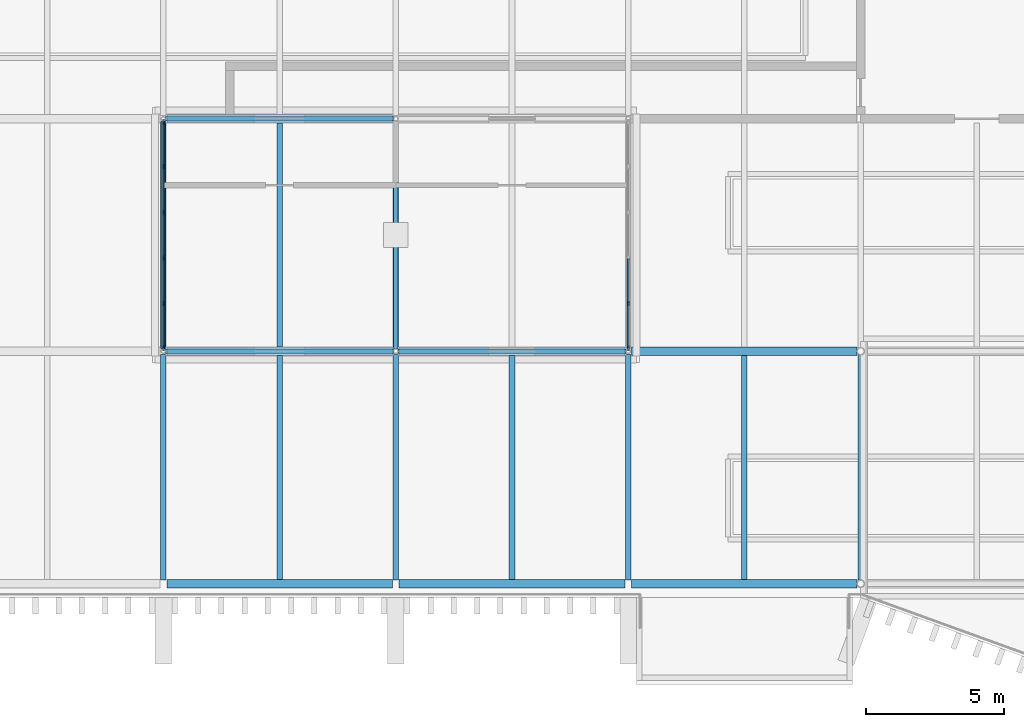
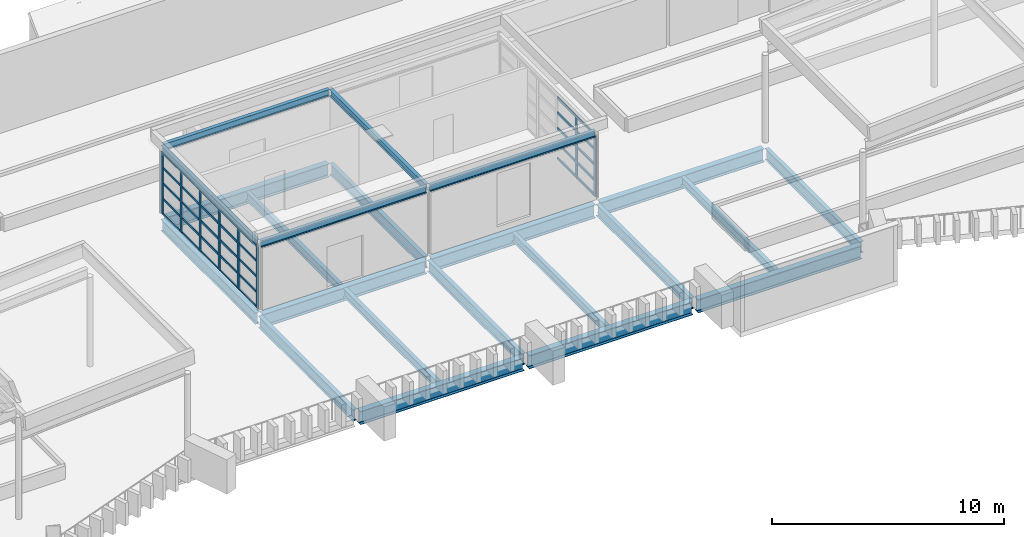
# One storey, part 14 of 51: 43 members, 22 beams, 2 elements without a shape of their own.
"""IFC4 building model written with IfcOpenShell, lengths in metres."""

from ifc_helpers import new_model, si_unit, direction, frame, origin, origin_2d, place, context, subcontext, project, spatial, rectangle, i_section, extrude, material, layer, layer_set, material_profile, profile_set, type_object, element, aggregate, save


model = new_model("IFC4")

# Units and contexts
model_context = context("Model", 3, precision=1e-05, world=origin(), true_north=direction((0.0, 1.0)))
body_context = subcontext(model_context, "Body", "Model", "MODEL_VIEW")
ifc_project = project(units=[si_unit("LENGTHUNIT", "METRE"), si_unit("AREAUNIT", "SQUARE_METRE"), si_unit("VOLUMEUNIT", "CUBIC_METRE"), si_unit("PLANEANGLEUNIT", "RADIAN"), si_unit("MASSUNIT", "GRAM", prefix="KILO")], contexts=[model_context])

# Site, building, storey
site_placement = place(None, origin())
site = spatial("IfcSite", under=ifc_project, at=site_placement, CompositionType="ELEMENT")
building_placement = place(site_placement, origin())
building = spatial("IfcBuilding", under=site, at=building_placement, Name="Cresset Court Congress Hotel", CompositionType="ELEMENT")
storey_placement = place(building_placement, frame((0.0, 0.0, 18.60009765625)))
storey = spatial("IfcBuildingStorey", under=building, at=storey_placement, Name="L04", CompositionType="ELEMENT", Elevation=18.60009765625)

# Curtain wall, members
ifc_material_1 = material(Name="Aluminium frame with double glazing", Category="aluminium")
ifc_layer = layer(ifc_material_1, 0.199951171875)
ifc_layer_set = layer_set([ifc_layer], Name="Pavilion curtain wall 1680 module")
curtain_wall_type = type_object("IfcCurtainWallType", Name="Pavilion curtain wall 1680 module", PredefinedType="NOTDEFINED", material=ifc_layer_set)
curtain_wall_1_placement = place(storey_placement, origin())
curtain_wall_1 = element("IfcCurtainWall", 1, at=curtain_wall_1_placement, inside=storey, type_object=curtain_wall_type, Name="Pavilion glazed front W", PredefinedType="NOTDEFINED")
ifc_material_2 = material(Name="Aluminium", Category="aluminium")
ifc_material_profile_1 = material_profile(ifc_material_2, rectangle(XDim=0.06005859375, YDim=0.159912109375, at=origin_2d()), Name="Box mullion 60x160")
ifc_profile_set_1 = profile_set([ifc_material_profile_1], Name="Aluminium")
member_type_1 = type_object("IfcMemberType", Name="Box mullion 60x160", PredefinedType="MULLION", material=ifc_profile_set_1)
member_1_placement = place(storey_placement, frame((75.60009765625, 8.513916015625, 0.0), z_axis=(0.0, 0.0, 1.0), x_axis=(-1.0, 0.0, 0.0)))
member_1 = element("IfcMember", 2, at=member_1_placement, type_object=member_type_1, Name="B-X2 mullion 1", PredefinedType="MULLION", context=body_context, shape_type="SweptSolid", body=[
    extrude(rectangle(XDim=0.06005859375, YDim=0.159912109375, at=origin_2d()), origin(), (0.0, 0.0, 1.0), 3.25390625),
])
member_2_placement = place(storey_placement, frame((75.60009765625, 10.13037109375, 0.0), z_axis=(0.0, 0.0, 1.0), x_axis=(-1.0, 0.0, 0.0)))
member_2 = element("IfcMember", 3, at=member_2_placement, type_object=member_type_1, Name="B-X2 mullion 2", PredefinedType="MULLION", context=body_context, shape_type="SweptSolid", body=[
    extrude(rectangle(XDim=0.06005859375, YDim=0.159912109375, at=origin_2d()), origin(), (0.0, 0.0, 1.0), 3.25390625),
])
member_3_placement = place(storey_placement, frame((75.60009765625, 11.77685546875, 0.0), z_axis=(0.0, 0.0, 1.0), x_axis=(-1.0, 0.0, 0.0)))
member_3 = element("IfcMember", 4, at=member_3_placement, type_object=member_type_1, Name="B-X2 mullion 3", PredefinedType="MULLION", context=body_context, shape_type="SweptSolid", body=[
    extrude(rectangle(XDim=0.06005859375, YDim=0.159912109375, at=origin_2d()), origin(), (0.0, 0.0, 1.0), 3.25390625),
])
member_4_placement = place(storey_placement, frame((75.60009765625, 13.423095703125, 0.0), z_axis=(0.0, 0.0, 1.0), x_axis=(-1.0, 0.0, 0.0)))
member_4 = element("IfcMember", 5, at=member_4_placement, type_object=member_type_1, Name="B-X2 mullion 4", PredefinedType="MULLION", context=body_context, shape_type="SweptSolid", body=[
    extrude(rectangle(XDim=0.06005859375, YDim=0.159912109375, at=origin_2d()), origin(), (0.0, 0.0, 1.0), 3.25390625),
])
member_5_placement = place(storey_placement, frame((75.60009765625, 15.069580078125, 0.0), z_axis=(0.0, 0.0, 1.0), x_axis=(-1.0, 0.0, 0.0)))
member_5 = element("IfcMember", 6, at=member_5_placement, type_object=member_type_1, Name="B-X2 mullion 5", PredefinedType="MULLION", context=body_context, shape_type="SweptSolid", body=[
    extrude(rectangle(XDim=0.06005859375, YDim=0.159912109375, at=origin_2d()), origin(), (0.0, 0.0, 1.0), 3.25390625),
])
member_6_placement = place(storey_placement, frame((75.60009765625, 16.68603515625, 0.0), z_axis=(0.0, 0.0, 1.0), x_axis=(-1.0, 0.0, 0.0)))
member_6 = element("IfcMember", 7, at=member_6_placement, type_object=member_type_1, Name="B-X2 mullion 6", PredefinedType="MULLION", context=body_context, shape_type="SweptSolid", body=[
    extrude(rectangle(XDim=0.06005859375, YDim=0.159912109375, at=origin_2d()), origin(), (0.0, 0.0, 1.0), 3.25390625),
])

curtain_wall_2_placement = place(storey_placement, origin())
curtain_wall_2 = element("IfcCurtainWall", 8, at=curtain_wall_2_placement, inside=storey, type_object=curtain_wall_type, Name="Pavilion glazed front E", PredefinedType="NOTDEFINED")
member_7_placement = place(storey_placement, frame((92.39990234375, 8.513916015625, 0.0), z_axis=(0.0, 0.0, 1.0), x_axis=(-1.0, 0.0, 0.0)))
member_7 = element("IfcMember", 9, at=member_7_placement, type_object=member_type_1, Name="B-X2 mullion 1", PredefinedType="MULLION", context=body_context, shape_type="SweptSolid", body=[
    extrude(rectangle(XDim=0.06005859375, YDim=0.159912109375, at=origin_2d()), origin(), (0.0, 0.0, 1.0), 3.25390625),
])
member_8_placement = place(storey_placement, frame((92.39990234375, 10.13037109375, 0.0), z_axis=(0.0, 0.0, 1.0), x_axis=(-1.0, 0.0, 0.0)))
member_8 = element("IfcMember", 10, at=member_8_placement, type_object=member_type_1, Name="B-X2 mullion 2", PredefinedType="MULLION", context=body_context, shape_type="SweptSolid", body=[
    extrude(rectangle(XDim=0.06005859375, YDim=0.159912109375, at=origin_2d()), origin(), (0.0, 0.0, 1.0), 3.25390625),
])

# Member
ifc_material_3 = material(Name="Aluminium", Category="aluminium")
ifc_material_profile_2 = material_profile(ifc_material_3, rectangle(XDim=0.06005859375, YDim=0.1201171875, at=origin_2d()), Name="Box transom 60x120")
ifc_profile_set_2 = profile_set([ifc_material_profile_2], Name="Aluminium")
member_type_2 = type_object("IfcMemberType", Name="Box transom 60x120", PredefinedType="USERDEFINED", material=ifc_profile_set_2)
member_9_placement = place(storey_placement, frame((75.60009765625, 8.5439453125, 0.02978515625), z_axis=(0.0, 1.0, 0.0), x_axis=(-1.0, 0.0, 0.0)))
member_9 = element("IfcMember", 11, at=member_9_placement, type_object=member_type_2, Name="B-X2 transom 1.1", ObjectType="TRANSOM", PredefinedType="USERDEFINED", context=body_context, shape_type="SweptSolid", body=[
    extrude(rectangle(XDim=0.06005859375, YDim=0.1201171875, at=origin_2d()), origin(), (0.0, 0.0, 1.0), 1.556396484375),
])

member_10_placement = place(storey_placement, frame((75.60009765625, 8.5439453125, 0.8134765625), z_axis=(0.0, 1.0, 0.0), x_axis=(-1.0, 0.0, 0.0)))
member_10 = element("IfcMember", 12, at=member_10_placement, type_object=member_type_2, Name="B-X2 transom 1.2", ObjectType="TRANSOM", PredefinedType="USERDEFINED", context=body_context, shape_type="SweptSolid", body=[
    extrude(rectangle(XDim=0.06005859375, YDim=0.1201171875, at=origin_2d()), origin(), (0.0, 0.0, 1.0), 1.556396484375),
])

member_11_placement = place(storey_placement, frame((75.60009765625, 8.5439453125, 1.626953125), z_axis=(0.0, 1.0, 0.0), x_axis=(-1.0, 0.0, 0.0)))
member_11 = element("IfcMember", 13, at=member_11_placement, type_object=member_type_2, Name="B-X2 transom 1.3", ObjectType="TRANSOM", PredefinedType="USERDEFINED", context=body_context, shape_type="SweptSolid", body=[
    extrude(rectangle(XDim=0.06005859375, YDim=0.1201171875, at=origin_2d()), origin(), (0.0, 0.0, 1.0), 1.556396484375),
])

member_12_placement = place(storey_placement, frame((75.60009765625, 8.5439453125, 2.4404296875), z_axis=(0.0, 1.0, 0.0), x_axis=(-1.0, 0.0, 0.0)))
member_12 = element("IfcMember", 14, at=member_12_placement, type_object=member_type_2, Name="B-X2 transom 1.4", ObjectType="TRANSOM", PredefinedType="USERDEFINED", context=body_context, shape_type="SweptSolid", body=[
    extrude(rectangle(XDim=0.06005859375, YDim=0.1201171875, at=origin_2d()), origin(), (0.0, 0.0, 1.0), 1.556396484375),
])

member_13_placement = place(storey_placement, frame((75.60009765625, 8.5439453125, 3.223876953125), z_axis=(0.0, 1.0, 0.0), x_axis=(-1.0, 0.0, 0.0)))
member_13 = element("IfcMember", 15, at=member_13_placement, type_object=member_type_2, Name="B-X2 transom 1.5", ObjectType="TRANSOM", PredefinedType="USERDEFINED", context=body_context, shape_type="SweptSolid", body=[
    extrude(rectangle(XDim=0.06005859375, YDim=0.1201171875, at=origin_2d()), origin(), (0.0, 0.0, 1.0), 1.556396484375),
])

member_14_placement = place(storey_placement, frame((75.60009765625, 10.160400390625, 0.02978515625), z_axis=(0.0, 1.0, 0.0), x_axis=(-1.0, 0.0, 0.0)))
member_14 = element("IfcMember", 16, at=member_14_placement, type_object=member_type_2, Name="B-X2 transom 2.1", ObjectType="TRANSOM", PredefinedType="USERDEFINED", context=body_context, shape_type="SweptSolid", body=[
    extrude(rectangle(XDim=0.06005859375, YDim=0.1201171875, at=origin_2d()), origin(), (0.0, 0.0, 1.0), 1.58642578125),
])

member_15_placement = place(storey_placement, frame((75.60009765625, 10.160400390625, 0.8134765625), z_axis=(0.0, 1.0, 0.0), x_axis=(-1.0, 0.0, 0.0)))
member_15 = element("IfcMember", 17, at=member_15_placement, type_object=member_type_2, Name="B-X2 transom 2.2", ObjectType="TRANSOM", PredefinedType="USERDEFINED", context=body_context, shape_type="SweptSolid", body=[
    extrude(rectangle(XDim=0.06005859375, YDim=0.1201171875, at=origin_2d()), origin(), (0.0, 0.0, 1.0), 1.58642578125),
])

member_16_placement = place(storey_placement, frame((75.60009765625, 10.160400390625, 1.626953125), z_axis=(0.0, 1.0, 0.0), x_axis=(-1.0, 0.0, 0.0)))
member_16 = element("IfcMember", 18, at=member_16_placement, type_object=member_type_2, Name="B-X2 transom 2.3", ObjectType="TRANSOM", PredefinedType="USERDEFINED", context=body_context, shape_type="SweptSolid", body=[
    extrude(rectangle(XDim=0.06005859375, YDim=0.1201171875, at=origin_2d()), origin(), (0.0, 0.0, 1.0), 1.58642578125),
])

member_17_placement = place(storey_placement, frame((75.60009765625, 10.160400390625, 2.4404296875), z_axis=(0.0, 1.0, 0.0), x_axis=(-1.0, 0.0, 0.0)))
member_17 = element("IfcMember", 19, at=member_17_placement, type_object=member_type_2, Name="B-X2 transom 2.4", ObjectType="TRANSOM", PredefinedType="USERDEFINED", context=body_context, shape_type="SweptSolid", body=[
    extrude(rectangle(XDim=0.06005859375, YDim=0.1201171875, at=origin_2d()), origin(), (0.0, 0.0, 1.0), 1.58642578125),
])

member_18_placement = place(storey_placement, frame((75.60009765625, 10.160400390625, 3.223876953125), z_axis=(0.0, 1.0, 0.0), x_axis=(-1.0, 0.0, 0.0)))
member_18 = element("IfcMember", 20, at=member_18_placement, type_object=member_type_2, Name="B-X2 transom 2.5", ObjectType="TRANSOM", PredefinedType="USERDEFINED", context=body_context, shape_type="SweptSolid", body=[
    extrude(rectangle(XDim=0.06005859375, YDim=0.1201171875, at=origin_2d()), origin(), (0.0, 0.0, 1.0), 1.58642578125),
])

member_19_placement = place(storey_placement, frame((75.60009765625, 11.806884765625, 0.02978515625), z_axis=(0.0, 1.0, 0.0), x_axis=(-1.0, 0.0, 0.0)))
member_19 = element("IfcMember", 21, at=member_19_placement, type_object=member_type_2, Name="B-X2 transom 3.1", ObjectType="TRANSOM", PredefinedType="USERDEFINED", context=body_context, shape_type="SweptSolid", body=[
    extrude(rectangle(XDim=0.06005859375, YDim=0.1201171875, at=origin_2d()), origin(), (0.0, 0.0, 1.0), 1.58642578125),
])

member_20_placement = place(storey_placement, frame((75.60009765625, 11.806884765625, 0.8134765625), z_axis=(0.0, 1.0, 0.0), x_axis=(-1.0, 0.0, 0.0)))
member_20 = element("IfcMember", 22, at=member_20_placement, type_object=member_type_2, Name="B-X2 transom 3.2", ObjectType="TRANSOM", PredefinedType="USERDEFINED", context=body_context, shape_type="SweptSolid", body=[
    extrude(rectangle(XDim=0.06005859375, YDim=0.1201171875, at=origin_2d()), origin(), (0.0, 0.0, 1.0), 1.58642578125),
])

member_21_placement = place(storey_placement, frame((75.60009765625, 11.806884765625, 1.626953125), z_axis=(0.0, 1.0, 0.0), x_axis=(-1.0, 0.0, 0.0)))
member_21 = element("IfcMember", 23, at=member_21_placement, type_object=member_type_2, Name="B-X2 transom 3.3", ObjectType="TRANSOM", PredefinedType="USERDEFINED", context=body_context, shape_type="SweptSolid", body=[
    extrude(rectangle(XDim=0.06005859375, YDim=0.1201171875, at=origin_2d()), origin(), (0.0, 0.0, 1.0), 1.58642578125),
])

member_22_placement = place(storey_placement, frame((75.60009765625, 11.806884765625, 2.4404296875), z_axis=(0.0, 1.0, 0.0), x_axis=(-1.0, 0.0, 0.0)))
member_22 = element("IfcMember", 24, at=member_22_placement, type_object=member_type_2, Name="B-X2 transom 3.4", ObjectType="TRANSOM", PredefinedType="USERDEFINED", context=body_context, shape_type="SweptSolid", body=[
    extrude(rectangle(XDim=0.06005859375, YDim=0.1201171875, at=origin_2d()), origin(), (0.0, 0.0, 1.0), 1.58642578125),
])

member_23_placement = place(storey_placement, frame((75.60009765625, 11.806884765625, 3.223876953125), z_axis=(0.0, 1.0, 0.0), x_axis=(-1.0, 0.0, 0.0)))
member_23 = element("IfcMember", 25, at=member_23_placement, type_object=member_type_2, Name="B-X2 transom 3.5", ObjectType="TRANSOM", PredefinedType="USERDEFINED", context=body_context, shape_type="SweptSolid", body=[
    extrude(rectangle(XDim=0.06005859375, YDim=0.1201171875, at=origin_2d()), origin(), (0.0, 0.0, 1.0), 1.58642578125),
])

member_24_placement = place(storey_placement, frame((75.60009765625, 13.453125, 0.02978515625), z_axis=(0.0, 1.0, 0.0), x_axis=(-1.0, 0.0, 0.0)))
member_24 = element("IfcMember", 26, at=member_24_placement, type_object=member_type_2, Name="B-X2 transom 4.1", ObjectType="TRANSOM", PredefinedType="USERDEFINED", context=body_context, shape_type="SweptSolid", body=[
    extrude(rectangle(XDim=0.06005859375, YDim=0.1201171875, at=origin_2d()), origin(), (0.0, 0.0, 1.0), 1.58642578125),
])

member_25_placement = place(storey_placement, frame((75.60009765625, 13.453125, 0.8134765625), z_axis=(0.0, 1.0, 0.0), x_axis=(-1.0, 0.0, 0.0)))
member_25 = element("IfcMember", 27, at=member_25_placement, type_object=member_type_2, Name="B-X2 transom 4.2", ObjectType="TRANSOM", PredefinedType="USERDEFINED", context=body_context, shape_type="SweptSolid", body=[
    extrude(rectangle(XDim=0.06005859375, YDim=0.1201171875, at=origin_2d()), origin(), (0.0, 0.0, 1.0), 1.58642578125),
])

member_26_placement = place(storey_placement, frame((75.60009765625, 13.453125, 1.626953125), z_axis=(0.0, 1.0, 0.0), x_axis=(-1.0, 0.0, 0.0)))
member_26 = element("IfcMember", 28, at=member_26_placement, type_object=member_type_2, Name="B-X2 transom 4.3", ObjectType="TRANSOM", PredefinedType="USERDEFINED", context=body_context, shape_type="SweptSolid", body=[
    extrude(rectangle(XDim=0.06005859375, YDim=0.1201171875, at=origin_2d()), origin(), (0.0, 0.0, 1.0), 1.58642578125),
])

member_27_placement = place(storey_placement, frame((75.60009765625, 13.453125, 2.4404296875), z_axis=(0.0, 1.0, 0.0), x_axis=(-1.0, 0.0, 0.0)))
member_27 = element("IfcMember", 29, at=member_27_placement, type_object=member_type_2, Name="B-X2 transom 4.4", ObjectType="TRANSOM", PredefinedType="USERDEFINED", context=body_context, shape_type="SweptSolid", body=[
    extrude(rectangle(XDim=0.06005859375, YDim=0.1201171875, at=origin_2d()), origin(), (0.0, 0.0, 1.0), 1.58642578125),
])

member_28_placement = place(storey_placement, frame((75.60009765625, 13.453125, 3.223876953125), z_axis=(0.0, 1.0, 0.0), x_axis=(-1.0, 0.0, 0.0)))
member_28 = element("IfcMember", 30, at=member_28_placement, type_object=member_type_2, Name="B-X2 transom 4.5", ObjectType="TRANSOM", PredefinedType="USERDEFINED", context=body_context, shape_type="SweptSolid", body=[
    extrude(rectangle(XDim=0.06005859375, YDim=0.1201171875, at=origin_2d()), origin(), (0.0, 0.0, 1.0), 1.58642578125),
])

member_29_placement = place(storey_placement, frame((75.60009765625, 15.099609375, 0.02978515625), z_axis=(0.0, 1.0, 0.0), x_axis=(-1.0, 0.0, 0.0)))
member_29 = element("IfcMember", 31, at=member_29_placement, type_object=member_type_2, Name="B-X2 transom 5.1", ObjectType="TRANSOM", PredefinedType="USERDEFINED", context=body_context, shape_type="SweptSolid", body=[
    extrude(rectangle(XDim=0.06005859375, YDim=0.1201171875, at=origin_2d()), origin(), (0.0, 0.0, 1.0), 1.556396484375),
])

member_30_placement = place(storey_placement, frame((75.60009765625, 15.099609375, 0.8134765625), z_axis=(0.0, 1.0, 0.0), x_axis=(-1.0, 0.0, 0.0)))
member_30 = element("IfcMember", 32, at=member_30_placement, type_object=member_type_2, Name="B-X2 transom 5.2", ObjectType="TRANSOM", PredefinedType="USERDEFINED", context=body_context, shape_type="SweptSolid", body=[
    extrude(rectangle(XDim=0.06005859375, YDim=0.1201171875, at=origin_2d()), origin(), (0.0, 0.0, 1.0), 1.556396484375),
])

member_31_placement = place(storey_placement, frame((75.60009765625, 15.099609375, 1.626953125), z_axis=(0.0, 1.0, 0.0), x_axis=(-1.0, 0.0, 0.0)))
member_31 = element("IfcMember", 33, at=member_31_placement, type_object=member_type_2, Name="B-X2 transom 5.3", ObjectType="TRANSOM", PredefinedType="USERDEFINED", context=body_context, shape_type="SweptSolid", body=[
    extrude(rectangle(XDim=0.06005859375, YDim=0.1201171875, at=origin_2d()), origin(), (0.0, 0.0, 1.0), 1.556396484375),
])

member_32_placement = place(storey_placement, frame((75.60009765625, 15.099609375, 2.4404296875), z_axis=(0.0, 1.0, 0.0), x_axis=(-1.0, 0.0, 0.0)))
member_32 = element("IfcMember", 34, at=member_32_placement, type_object=member_type_2, Name="B-X2 transom 5.4", ObjectType="TRANSOM", PredefinedType="USERDEFINED", context=body_context, shape_type="SweptSolid", body=[
    extrude(rectangle(XDim=0.06005859375, YDim=0.1201171875, at=origin_2d()), origin(), (0.0, 0.0, 1.0), 1.556396484375),
])

member_33_placement = place(storey_placement, frame((75.60009765625, 15.099609375, 3.223876953125), z_axis=(0.0, 1.0, 0.0), x_axis=(-1.0, 0.0, 0.0)))
member_33 = element("IfcMember", 35, at=member_33_placement, type_object=member_type_2, Name="B-X2 transom 5.5", ObjectType="TRANSOM", PredefinedType="USERDEFINED", context=body_context, shape_type="SweptSolid", body=[
    extrude(rectangle(XDim=0.06005859375, YDim=0.1201171875, at=origin_2d()), origin(), (0.0, 0.0, 1.0), 1.556396484375),
])

aggregate(curtain_wall_1, [member_1, member_2, member_3, member_4, member_5, member_6, member_9, member_10, member_11, member_12, member_13, member_14, member_15, member_16, member_17, member_18, member_19, member_20, member_21, member_22, member_23, member_24, member_25, member_26, member_27, member_28, member_29, member_30, member_31, member_32, member_33])

member_34_placement = place(storey_placement, frame((92.39990234375, 8.5439453125, 0.02978515625), z_axis=(0.0, 1.0, 0.0), x_axis=(-1.0, 0.0, 0.0)))
member_34 = element("IfcMember", 36, at=member_34_placement, type_object=member_type_2, Name="B-X2 transom 1.1", ObjectType="TRANSOM", PredefinedType="USERDEFINED", context=body_context, shape_type="SweptSolid", body=[
    extrude(rectangle(XDim=0.06005859375, YDim=0.1201171875, at=origin_2d()), origin(), (0.0, 0.0, 1.0), 1.556396484375),
])

member_35_placement = place(storey_placement, frame((92.39990234375, 8.5439453125, 0.8134765625), z_axis=(0.0, 1.0, 0.0), x_axis=(-1.0, 0.0, 0.0)))
member_35 = element("IfcMember", 37, at=member_35_placement, type_object=member_type_2, Name="B-X2 transom 1.2", ObjectType="TRANSOM", PredefinedType="USERDEFINED", context=body_context, shape_type="SweptSolid", body=[
    extrude(rectangle(XDim=0.06005859375, YDim=0.1201171875, at=origin_2d()), origin(), (0.0, 0.0, 1.0), 1.556396484375),
])

member_36_placement = place(storey_placement, frame((92.39990234375, 8.5439453125, 1.626953125), z_axis=(0.0, 1.0, 0.0), x_axis=(-1.0, 0.0, 0.0)))
member_36 = element("IfcMember", 38, at=member_36_placement, type_object=member_type_2, Name="B-X2 transom 1.3", ObjectType="TRANSOM", PredefinedType="USERDEFINED", context=body_context, shape_type="SweptSolid", body=[
    extrude(rectangle(XDim=0.06005859375, YDim=0.1201171875, at=origin_2d()), origin(), (0.0, 0.0, 1.0), 1.556396484375),
])

member_37_placement = place(storey_placement, frame((92.39990234375, 8.5439453125, 2.4404296875), z_axis=(0.0, 1.0, 0.0), x_axis=(-1.0, 0.0, 0.0)))
member_37 = element("IfcMember", 39, at=member_37_placement, type_object=member_type_2, Name="B-X2 transom 1.4", ObjectType="TRANSOM", PredefinedType="USERDEFINED", context=body_context, shape_type="SweptSolid", body=[
    extrude(rectangle(XDim=0.06005859375, YDim=0.1201171875, at=origin_2d()), origin(), (0.0, 0.0, 1.0), 1.556396484375),
])

member_38_placement = place(storey_placement, frame((92.39990234375, 8.5439453125, 3.223876953125), z_axis=(0.0, 1.0, 0.0), x_axis=(-1.0, 0.0, 0.0)))
member_38 = element("IfcMember", 40, at=member_38_placement, type_object=member_type_2, Name="B-X2 transom 1.5", ObjectType="TRANSOM", PredefinedType="USERDEFINED", context=body_context, shape_type="SweptSolid", body=[
    extrude(rectangle(XDim=0.06005859375, YDim=0.1201171875, at=origin_2d()), origin(), (0.0, 0.0, 1.0), 1.556396484375),
])

member_39_placement = place(storey_placement, frame((92.39990234375, 10.160400390625, 0.02978515625), z_axis=(0.0, 1.0, 0.0), x_axis=(-1.0, 0.0, 0.0)))
member_39 = element("IfcMember", 41, at=member_39_placement, type_object=member_type_2, Name="B-X2 transom 2.1", ObjectType="TRANSOM", PredefinedType="USERDEFINED", context=body_context, shape_type="SweptSolid", body=[
    extrude(rectangle(XDim=0.06005859375, YDim=0.1201171875, at=origin_2d()), origin(), (0.0, 0.0, 1.0), 1.58642578125),
])

member_40_placement = place(storey_placement, frame((92.39990234375, 10.160400390625, 0.8134765625), z_axis=(0.0, 1.0, 0.0), x_axis=(-1.0, 0.0, 0.0)))
member_40 = element("IfcMember", 42, at=member_40_placement, type_object=member_type_2, Name="B-X2 transom 2.2", ObjectType="TRANSOM", PredefinedType="USERDEFINED", context=body_context, shape_type="SweptSolid", body=[
    extrude(rectangle(XDim=0.06005859375, YDim=0.1201171875, at=origin_2d()), origin(), (0.0, 0.0, 1.0), 1.58642578125),
])

member_41_placement = place(storey_placement, frame((92.39990234375, 10.160400390625, 1.626953125), z_axis=(0.0, 1.0, 0.0), x_axis=(-1.0, 0.0, 0.0)))
member_41 = element("IfcMember", 43, at=member_41_placement, type_object=member_type_2, Name="B-X2 transom 2.3", ObjectType="TRANSOM", PredefinedType="USERDEFINED", context=body_context, shape_type="SweptSolid", body=[
    extrude(rectangle(XDim=0.06005859375, YDim=0.1201171875, at=origin_2d()), origin(), (0.0, 0.0, 1.0), 1.58642578125),
])

member_42_placement = place(storey_placement, frame((92.39990234375, 10.160400390625, 2.4404296875), z_axis=(0.0, 1.0, 0.0), x_axis=(-1.0, 0.0, 0.0)))
member_42 = element("IfcMember", 44, at=member_42_placement, type_object=member_type_2, Name="B-X2 transom 2.4", ObjectType="TRANSOM", PredefinedType="USERDEFINED", context=body_context, shape_type="SweptSolid", body=[
    extrude(rectangle(XDim=0.06005859375, YDim=0.1201171875, at=origin_2d()), origin(), (0.0, 0.0, 1.0), 1.58642578125),
])

member_43_placement = place(storey_placement, frame((92.39990234375, 10.160400390625, 3.223876953125), z_axis=(0.0, 1.0, 0.0), x_axis=(-1.0, 0.0, 0.0)))
member_43 = element("IfcMember", 45, at=member_43_placement, type_object=member_type_2, Name="B-X2 transom 2.5", ObjectType="TRANSOM", PredefinedType="USERDEFINED", context=body_context, shape_type="SweptSolid", body=[
    extrude(rectangle(XDim=0.06005859375, YDim=0.1201171875, at=origin_2d()), origin(), (0.0, 0.0, 1.0), 1.58642578125),
])

aggregate(curtain_wall_2, [member_7, member_8, member_34, member_35, member_36, member_37, member_38, member_39, member_40, member_41, member_42, member_43])

# Beams
ifc_material_4 = material(Name="Structural steel Q355B", Category="steel")
ifc_material_profile_3 = material_profile(ifc_material_4, i_section(OverallWidth=0.174072265625, OverallDepth=0.345947265625, WebThickness=0.006103515625, FlangeThickness=0.009033203125, FilletRadius=0.012939453125, at=origin_2d()), Name="HN346x174x6x9")
ifc_profile_set_3 = profile_set([ifc_material_profile_3], Name="Structural steel Q355B")
beam_type_1 = type_object("IfcBeamType", Name="Pavilion roof beam HN346x174x6x9", PredefinedType="BEAM", material=ifc_profile_set_3)
for number, where, z_axis, x_axis, name in (
    (46, (75.68408203125, 8.39990234375, 3.427001953125), (1.0, 0.0, 0.0), (0.0, 1.0, 0.0), "Pavilion roof beam"),
    (47, (84.083984375, 8.39990234375, 3.427001953125), (1.0, 0.0, 0.0), (0.0, 1.0, 0.0), "Pavilion roof beam"),
    (48, (75.68408203125, 16.800048828125, 3.427001953125), (1.0, 0.0, 0.0), (0.0, 1.0, 0.0), "Pavilion roof beam"),
):
    element("IfcBeam", number, at=place(storey_placement, frame(where, z_axis=z_axis, x_axis=x_axis)), inside=storey, type_object=beam_type_1, Name=name, PredefinedType="BEAM", context=body_context, shape_type="SweptSolid", body=[
        extrude(i_section(OverallWidth=0.174072265625, OverallDepth=0.345947265625, WebThickness=0.006103515625, FlangeThickness=0.009033203125, FilletRadius=0.012939453125, at=origin_2d()), origin(), (0.0, 0.0, 1.0), 8.23193359375),
    ])
for number, where, z_axis, x_axis, name in (
    (49, (75.60009765625, 8.48388671875, 3.427001953125), (0.0, 1.0, 0.0), (-1.0, 0.0, 0.0), "Pavilion roof beam"),
    (50, (84.0, 8.48388671875, 3.427001953125), (0.0, 1.0, 0.0), (-1.0, 0.0, 0.0), "Pavilion roof beam"),
):
    element("IfcBeam", number, at=place(storey_placement, frame(where, z_axis=z_axis, x_axis=x_axis)), inside=storey, type_object=beam_type_1, Name=name, PredefinedType="BEAM", context=body_context, shape_type="SweptSolid", body=[
        extrude(i_section(OverallWidth=0.174072265625, OverallDepth=0.345947265625, WebThickness=0.006103515625, FlangeThickness=0.009033203125, FilletRadius=0.012939453125, at=origin_2d()), origin(), (0.0, 0.0, 1.0), 8.232177734375),
    ])
ifc_material_5 = material(Name="Structural steel Q355B", Category="steel")
ifc_material_profile_4 = material_profile(ifc_material_5, i_section(OverallWidth=0.199951171875, OverallDepth=0.60009765625, WebThickness=0.010986328125, FlangeThickness=0.01708984375, FilletRadius=0.012939453125, at=origin_2d()), Name="HN600x200x11x17")
ifc_profile_set_4 = profile_set([ifc_material_profile_4], Name="Structural steel Q355B")
beam_type_2 = type_object("IfcBeamType", Name="Steel beam HN600x200x11x17", PredefinedType="BEAM", material=ifc_profile_set_4)
beam_1_placement = place(storey_placement, frame((75.60009765625, 0.125, -0.550048828125), z_axis=(0.0, 1.0, 0.0), x_axis=(-1.0, 0.0, 0.0)))
element("IfcBeam", 51, at=beam_1_placement, inside=storey, type_object=beam_type_2, Name="B.by.L04.10A", PredefinedType="BEAM", context=body_context, shape_type="SweptSolid", body=[
    extrude(i_section(OverallWidth=0.199951171875, OverallDepth=0.60009765625, WebThickness=0.010986328125, FlangeThickness=0.01708984375, FilletRadius=0.012939453125, at=origin_2d()), origin(), (0.0, 0.0, 1.0), 8.14990234375),
])
beam_2_placement = place(storey_placement, frame((75.60009765625, 8.52490234375, -0.550048828125), z_axis=(0.0, 1.0, 0.0), x_axis=(-1.0, 0.0, 0.0)))
element("IfcBeam", 52, at=beam_2_placement, inside=storey, type_object=beam_type_2, Name="B.by.L04.10B", PredefinedType="BEAM", context=body_context, shape_type="SweptSolid", body=[
    extrude(i_section(OverallWidth=0.199951171875, OverallDepth=0.60009765625, WebThickness=0.010986328125, FlangeThickness=0.01708984375, FilletRadius=0.012939453125, at=origin_2d()), origin(), (0.0, 0.0, 1.0), 8.150146484375),
])
beam_3_placement = place(storey_placement, frame((84.0, 0.125, -0.550048828125), z_axis=(0.0, 1.0, 0.0), x_axis=(-1.0, 0.0, 0.0)))
element("IfcBeam", 53, at=beam_3_placement, inside=storey, type_object=beam_type_2, Name="B.by.L04.11A", PredefinedType="BEAM", context=body_context, shape_type="SweptSolid", body=[
    extrude(i_section(OverallWidth=0.199951171875, OverallDepth=0.60009765625, WebThickness=0.010986328125, FlangeThickness=0.01708984375, FilletRadius=0.012939453125, at=origin_2d()), origin(), (0.0, 0.0, 1.0), 8.14990234375),
])
beam_4_placement = place(storey_placement, frame((84.0, 8.52490234375, -0.550048828125), z_axis=(0.0, 1.0, 0.0), x_axis=(-1.0, 0.0, 0.0)))
element("IfcBeam", 54, at=beam_4_placement, inside=storey, type_object=beam_type_2, Name="B.by.L04.11B", PredefinedType="BEAM", context=body_context, shape_type="SweptSolid", body=[
    extrude(i_section(OverallWidth=0.199951171875, OverallDepth=0.60009765625, WebThickness=0.010986328125, FlangeThickness=0.01708984375, FilletRadius=0.012939453125, at=origin_2d()), origin(), (0.0, 0.0, 1.0), 8.150146484375),
])
for number, where, z_axis, x_axis, name in (
    (55, (92.39990234375, 0.125, -0.550048828125), (0.0, 1.0, 0.0), (-1.0, 0.0, 0.0), "B.by.L04.12A"),
    (56, (100.800048828125, 0.125, -0.550048828125), (0.0, 1.0, 0.0), (-1.0, 0.0, 0.0), "B.by.L04.13A"),
):
    element("IfcBeam", number, at=place(storey_placement, frame(where, z_axis=z_axis, x_axis=x_axis)), inside=storey, type_object=beam_type_2, Name=name, PredefinedType="BEAM", context=body_context, shape_type="SweptSolid", body=[
        extrude(i_section(OverallWidth=0.199951171875, OverallDepth=0.60009765625, WebThickness=0.010986328125, FlangeThickness=0.01708984375, FilletRadius=0.012939453125, at=origin_2d()), origin(), (0.0, 0.0, 1.0), 8.14990234375),
    ])
ifc_material_6 = material(Name="Structural steel Q355B", Category="steel")
ifc_material_profile_5 = material_profile(ifc_material_6, i_section(OverallWidth=0.300048828125, OverallDepth=0.699951171875, WebThickness=0.012939453125, FlangeThickness=0.02392578125, FilletRadius=0.01806640625, at=origin_2d()), Name="HN700x300x13x24")
ifc_profile_set_5 = profile_set([ifc_material_profile_5], Name="Structural steel Q355B")
beam_type_3 = type_object("IfcBeamType", Name="Steel beam HN700x300x13x24", PredefinedType="BEAM", material=ifc_profile_set_5)
for number, where, z_axis, x_axis, name in (
    (57, (75.72509765625, 0.0, -0.60009765625), (1.0, 0.0, 0.0), (0.0, 1.0, 0.0), "B.bx.L04.A10"),
    (58, (84.125, 0.0, -0.60009765625), (1.0, 0.0, 0.0), (0.0, 1.0, 0.0), "B.bx.L04.A11"),
):
    element("IfcBeam", number, at=place(storey_placement, frame(where, z_axis=z_axis, x_axis=x_axis)), inside=storey, type_object=beam_type_3, Name=name, PredefinedType="BEAM", context=body_context, shape_type="SweptSolid", body=[
        extrude(i_section(OverallWidth=0.300048828125, OverallDepth=0.699951171875, WebThickness=0.012939453125, FlangeThickness=0.02392578125, FilletRadius=0.01806640625, at=origin_2d()), origin(), (0.0, 0.0, 1.0), 8.14990234375),
    ])
beam_5_placement = place(storey_placement, frame((92.52490234375, 0.0, -0.60009765625), z_axis=(1.0, 0.0, 0.0), x_axis=(0.0, 1.0, 0.0)))
element("IfcBeam", 59, at=beam_5_placement, inside=storey, type_object=beam_type_3, Name="B.bx.L04.A12", PredefinedType="BEAM", context=body_context, shape_type="SweptSolid", body=[
    extrude(i_section(OverallWidth=0.300048828125, OverallDepth=0.699951171875, WebThickness=0.012939453125, FlangeThickness=0.02392578125, FilletRadius=0.01806640625, at=origin_2d()), origin(), (0.0, 0.0, 1.0), 8.150146484375),
])
for number, where, z_axis, x_axis, name in (
    (60, (75.72509765625, 8.39990234375, -0.60009765625), (1.0, 0.0, 0.0), (0.0, 1.0, 0.0), "B.bx.L04.B10"),
    (61, (84.125, 8.39990234375, -0.60009765625), (1.0, 0.0, 0.0), (0.0, 1.0, 0.0), "B.bx.L04.B11"),
):
    element("IfcBeam", number, at=place(storey_placement, frame(where, z_axis=z_axis, x_axis=x_axis)), inside=storey, type_object=beam_type_3, Name=name, PredefinedType="BEAM", context=body_context, shape_type="SweptSolid", body=[
        extrude(i_section(OverallWidth=0.300048828125, OverallDepth=0.699951171875, WebThickness=0.012939453125, FlangeThickness=0.02392578125, FilletRadius=0.01806640625, at=origin_2d()), origin(), (0.0, 0.0, 1.0), 8.14990234375),
    ])
beam_6_placement = place(storey_placement, frame((92.52490234375, 8.39990234375, -0.60009765625), z_axis=(1.0, 0.0, 0.0), x_axis=(0.0, 1.0, 0.0)))
element("IfcBeam", 62, at=beam_6_placement, inside=storey, type_object=beam_type_3, Name="B.bx.L04.B12", PredefinedType="BEAM", context=body_context, shape_type="SweptSolid", body=[
    extrude(i_section(OverallWidth=0.300048828125, OverallDepth=0.699951171875, WebThickness=0.012939453125, FlangeThickness=0.02392578125, FilletRadius=0.01806640625, at=origin_2d()), origin(), (0.0, 0.0, 1.0), 8.150146484375),
])
beam_7_placement = place(storey_placement, frame((75.72509765625, 16.800048828125, -0.60009765625), z_axis=(1.0, 0.0, 0.0), x_axis=(0.0, 1.0, 0.0)))
element("IfcBeam", 63, at=beam_7_placement, inside=storey, type_object=beam_type_3, Name="B.bx.L04.C10", PredefinedType="BEAM", context=body_context, shape_type="SweptSolid", body=[
    extrude(i_section(OverallWidth=0.300048828125, OverallDepth=0.699951171875, WebThickness=0.012939453125, FlangeThickness=0.02392578125, FilletRadius=0.01806640625, at=origin_2d()), origin(), (0.0, 0.0, 1.0), 8.14990234375),
])
ifc_material_7 = material(Name="Structural steel Q355B", Category="steel")
ifc_material_profile_6 = material_profile(ifc_material_7, i_section(OverallWidth=0.199951171875, OverallDepth=0.449951171875, WebThickness=0.009033203125, FlangeThickness=0.013916015625, FilletRadius=0.012939453125, at=origin_2d()), Name="HN450x200x9x14")
ifc_profile_set_6 = profile_set([ifc_material_profile_6], Name="Structural steel Q355B")
beam_type_4 = type_object("IfcBeamType", Name="Steel joist HN450x200x9x14", PredefinedType="JOIST", material=ifc_profile_set_6)
beam_8_placement = place(storey_placement, frame((79.800048828125, 0.14990234375, -0.47509765625), z_axis=(0.0, 1.0, 0.0), x_axis=(-1.0, 0.0, 0.0)))
element("IfcBeam", 64, at=beam_8_placement, inside=storey, type_object=beam_type_4, Name="B.bj.L04.10A", PredefinedType="JOIST", context=body_context, shape_type="SweptSolid", body=[
    extrude(i_section(OverallWidth=0.199951171875, OverallDepth=0.449951171875, WebThickness=0.009033203125, FlangeThickness=0.013916015625, FilletRadius=0.012939453125, at=origin_2d()), origin(), (0.0, 0.0, 1.0), 8.10009765625),
])
beam_9_placement = place(storey_placement, frame((79.800048828125, 8.550048828125, -0.47509765625), z_axis=(0.0, 1.0, 0.0), x_axis=(-1.0, 0.0, 0.0)))
element("IfcBeam", 65, at=beam_9_placement, inside=storey, type_object=beam_type_4, Name="B.bj.L04.10B", PredefinedType="JOIST", context=body_context, shape_type="SweptSolid", body=[
    extrude(i_section(OverallWidth=0.199951171875, OverallDepth=0.449951171875, WebThickness=0.009033203125, FlangeThickness=0.013916015625, FilletRadius=0.012939453125, at=origin_2d()), origin(), (0.0, 0.0, 1.0), 8.099853515625),
])
for number, where, z_axis, x_axis, name in (
    (66, (88.199951171875, 0.14990234375, -0.47509765625), (0.0, 1.0, 0.0), (-1.0, 0.0, 0.0), "B.bj.L04.11A"),
    (67, (96.60009765625, 0.14990234375, -0.47509765625), (0.0, 1.0, 0.0), (-1.0, 0.0, 0.0), "B.bj.L04.12A"),
):
    element("IfcBeam", number, at=place(storey_placement, frame(where, z_axis=z_axis, x_axis=x_axis)), inside=storey, type_object=beam_type_4, Name=name, PredefinedType="JOIST", context=body_context, shape_type="SweptSolid", body=[
        extrude(i_section(OverallWidth=0.199951171875, OverallDepth=0.449951171875, WebThickness=0.009033203125, FlangeThickness=0.013916015625, FilletRadius=0.012939453125, at=origin_2d()), origin(), (0.0, 0.0, 1.0), 8.10009765625),
    ])

save(model, "model.ifc")
